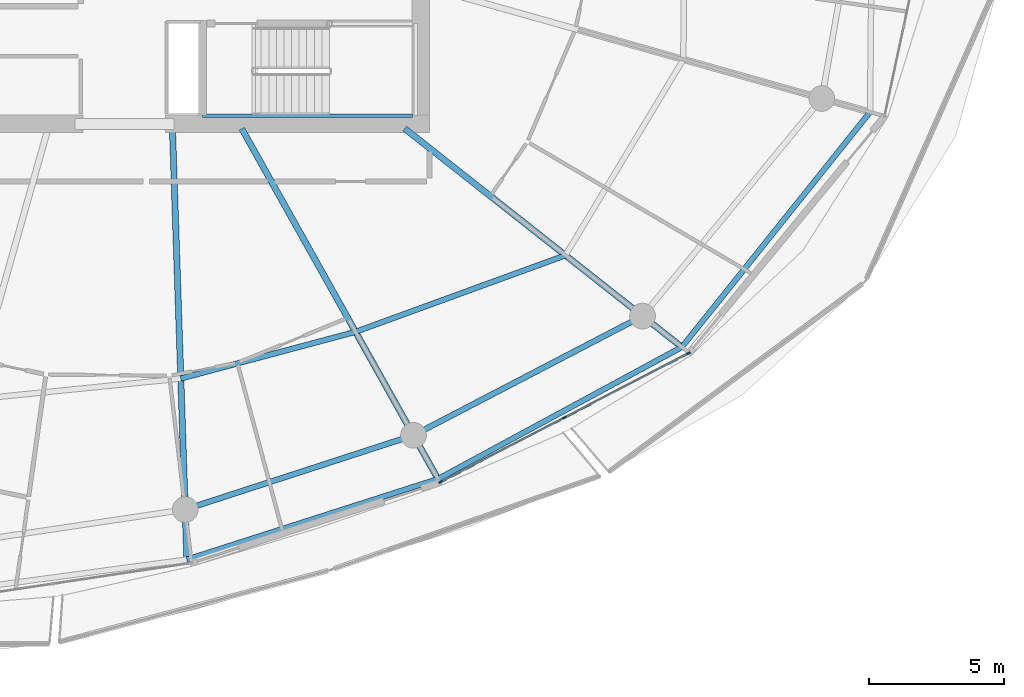
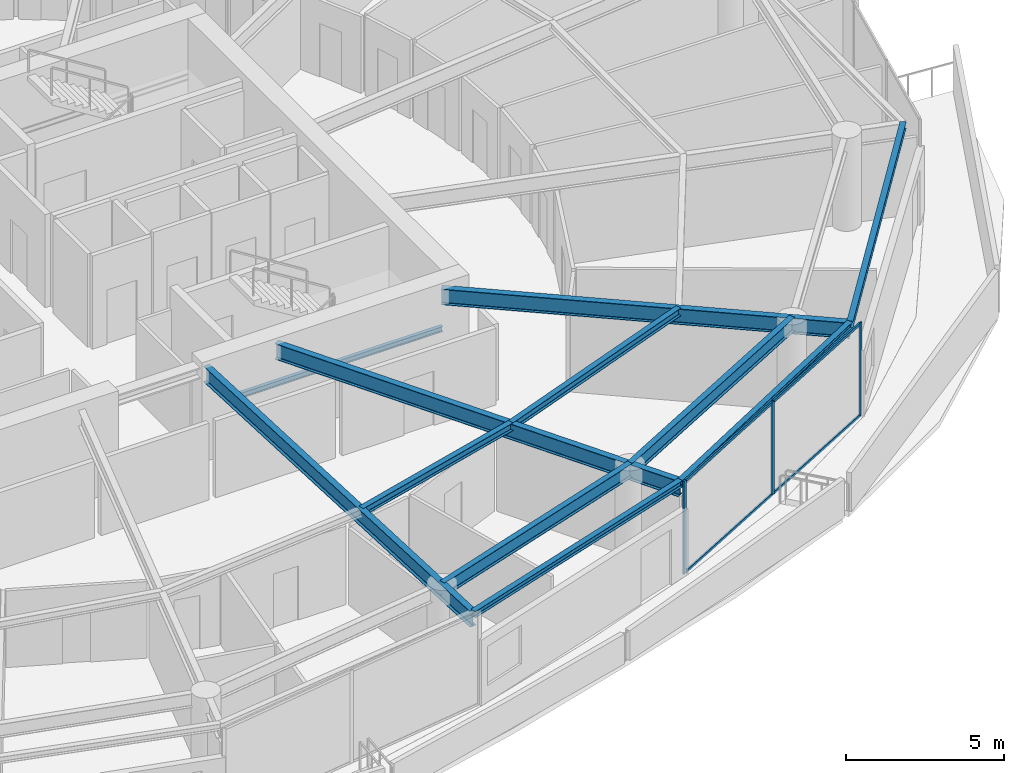
# One storey, part 10 of 31: 11 beams, 7 members, 1 element without a shape of its own.
"""IFC4 building model written with IfcOpenShell, lengths in metres."""

from ifc_helpers import new_model, si_unit, direction, frame, origin, origin_2d, place, context, subcontext, project, spatial, rectangle, i_section, extrude, material, layer, layer_set, material_profile, profile_set, type_object, element, aggregate, save


model = new_model("IFC4")

# Units and contexts
model_context = context("Model", 3, precision=1e-05, world=origin(), true_north=direction((0.0, 1.0)))
body_context = subcontext(model_context, "Body", "Model", "MODEL_VIEW")
ifc_project = project(units=[si_unit("LENGTHUNIT", "METRE"), si_unit("AREAUNIT", "SQUARE_METRE"), si_unit("VOLUMEUNIT", "CUBIC_METRE"), si_unit("PLANEANGLEUNIT", "RADIAN"), si_unit("MASSUNIT", "GRAM", prefix="KILO")], contexts=[model_context])

# Site, building, storey
site_placement = place(None, origin())
site = spatial("IfcSite", under=ifc_project, at=site_placement, CompositionType="ELEMENT")
building_placement = place(site_placement, origin())
building = spatial("IfcBuilding", under=site, at=building_placement, Name="Kazma Halo Residences", CompositionType="ELEMENT")
storey_placement = place(building_placement, frame((0.0, 0.0, 248.25)))
storey = spatial("IfcBuildingStorey", under=building, at=storey_placement, Name="L62", CompositionType="ELEMENT", Elevation=248.25)

# Beams
ifc_material_1 = material(Name="Steel S355", Category="steel")
ifc_material_profile_1 = material_profile(ifc_material_1, i_section(OverallWidth=0.201904296875, OverallDepth=0.2470703125, WebThickness=0.00732421875, FlangeThickness=0.010986328125, FilletRadius=0.011962890625, at=origin_2d()), Name="W250x49.1")
ifc_profile_set_1 = profile_set([ifc_material_profile_1], Name="Steel S355")
beam_type_1 = type_object("IfcBeamType", Name="BM-BAL-CANT", PredefinedType="BEAM", material=ifc_profile_set_1)
beam_1_placement = place(storey_placement, frame((50.7333984375, 17.580078125, 3.466552734375), z_axis=(0.952215866624, 0.305425839362, 0.0), x_axis=(-0.305425839362, 0.952215866624, 0.0)))
element("IfcBeam", 1, at=beam_1_placement, inside=storey, type_object=beam_type_1, Name="L62 wave-balcony tie beam 12", PredefinedType="BEAM", context=body_context, shape_type="SweptSolid", body=[
    extrude(i_section(OverallWidth=0.201904296875, OverallDepth=0.2470703125, WebThickness=0.00732421875, FlangeThickness=0.010986328125, FilletRadius=0.011962890625, at=origin_2d()), origin(), (0.0, 0.0, 1.0), 9.74169921875),
])
beam_2_placement = place(storey_placement, frame((60.009521484375, 20.555419921875, 3.466552734375), z_axis=(0.879517282036, 0.475866946321, 0.0), x_axis=(-0.475866946321, 0.879517282036, 0.0)))
element("IfcBeam", 2, at=beam_2_placement, inside=storey, type_object=beam_type_1, Name="L62 wave-balcony tie beam 13", PredefinedType="BEAM", context=body_context, shape_type="SweptSolid", body=[
    extrude(i_section(OverallWidth=0.201904296875, OverallDepth=0.2470703125, WebThickness=0.00732421875, FlangeThickness=0.010986328125, FilletRadius=0.011962890625, at=origin_2d()), origin(), (0.0, 0.0, 1.0), 10.243408203125),
])
beam_3_placement = place(storey_placement, frame((69.018798828125, 25.429931640625, 3.466552734375), z_axis=(0.625117912406, 0.780530329705, 0.0), x_axis=(-0.780530329705, 0.625117912406, 0.0)))
element("IfcBeam", 3, at=beam_3_placement, inside=storey, type_object=beam_type_1, Name="L62 wave-balcony tie beam 14", PredefinedType="BEAM", context=body_context, shape_type="SweptSolid", body=[
    extrude(i_section(OverallWidth=0.201904296875, OverallDepth=0.2470703125, WebThickness=0.00732421875, FlangeThickness=0.010986328125, FilletRadius=0.011962890625, at=origin_2d()), origin(), (0.0, 0.0, 1.0), 11.1220703125),
])
ifc_material_profile_2 = material_profile(ifc_material_1, i_section(OverallWidth=0.22802734375, OverallDepth=0.60791015625, WebThickness=0.01123046875, FlangeThickness=0.017333984375, FilletRadius=0.01806640625, at=origin_2d()), Name="W610x113")
ifc_profile_set_2 = profile_set([ifc_material_profile_2], Name="Steel S355")
beam_type_2 = type_object("IfcBeamType", Name="BM-RAD-W610", PredefinedType="BEAM", material=ifc_profile_set_2)
beam_4_placement = place(storey_placement, frame((50.199951171875, 33.5, 3.285888671875), z_axis=(0.03348936291, -0.999439073967, 0.0), x_axis=(0.999439073967, 0.03348936291, 0.0)))
element("IfcBeam", 4, at=beam_4_placement, inside=storey, type_object=beam_type_2, Name="L62 radial floor beam 12", PredefinedType="BEAM", context=body_context, shape_type="SweptSolid", body=[
    extrude(i_section(OverallWidth=0.22802734375, OverallDepth=0.60791015625, WebThickness=0.01123046875, FlangeThickness=0.017333984375, FilletRadius=0.01806640625, at=origin_2d()), origin(), (0.0, 0.0, 1.0), 15.928955078125),
])
beam_5_placement = place(storey_placement, frame((52.76025390625, 33.5, 3.285888671875), z_axis=(0.488618902548, -0.872497316943, 0.0), x_axis=(0.872497316943, 0.488618902548, 0.0)))
element("IfcBeam", 5, at=beam_5_placement, inside=storey, type_object=beam_type_2, Name="L62 radial floor beam 13", PredefinedType="BEAM", context=body_context, shape_type="SweptSolid", body=[
    extrude(i_section(OverallWidth=0.22802734375, OverallDepth=0.60791015625, WebThickness=0.01123046875, FlangeThickness=0.017333984375, FilletRadius=0.01806640625, at=origin_2d()), origin(), (0.0, 0.0, 1.0), 14.836181640625),
])
beam_6_placement = place(storey_placement, frame((58.7822265625, 33.5, 3.285888671875), z_axis=(0.785309266897, -0.619103670903, 0.0), x_axis=(0.619103670903, 0.785309266897, 0.0)))
element("IfcBeam", 6, at=beam_6_placement, inside=storey, type_object=beam_type_2, Name="L62 radial floor beam 14", PredefinedType="BEAM", context=body_context, shape_type="SweptSolid", body=[
    extrude(i_section(OverallWidth=0.22802734375, OverallDepth=0.60791015625, WebThickness=0.01123046875, FlangeThickness=0.017333984375, FilletRadius=0.01806640625, at=origin_2d()), origin(), (0.0, 0.0, 1.0), 13.03515625),
])
ifc_material_profile_3 = material_profile(ifc_material_1, i_section(OverallWidth=0.202880859375, OverallDepth=0.302978515625, WebThickness=0.007568359375, FlangeThickness=0.01318359375, FilletRadius=0.013916015625, at=origin_2d()), Name="W310x60")
ifc_profile_set_3 = profile_set([ifc_material_profile_3], Name="Steel S355")
beam_type_3 = type_object("IfcBeamType", Name="BM-SEC-W310A", PredefinedType="JOIST", material=ifc_profile_set_3)
beam_7_placement = place(storey_placement, frame((50.50927734375, 24.2666015625, 3.4384765625), z_axis=(0.966079519115, 0.258244772932, 0.0), x_axis=(-0.258244772932, 0.966079519115, 0.0)))
element("IfcBeam", 7, at=beam_7_placement, inside=storey, type_object=beam_type_3, Name="L62 circumferential floor joist 12", PredefinedType="JOIST", context=body_context, shape_type="SweptSolid", body=[
    extrude(i_section(OverallWidth=0.202880859375, OverallDepth=0.302978515625, WebThickness=0.007568359375, FlangeThickness=0.01318359375, FilletRadius=0.013916015625, at=origin_2d()), origin(), (0.0, 0.0, 1.0), 6.681884765625),
])
beam_8_placement = place(storey_placement, frame((56.964599609375, 25.9921875, 3.4384765625), z_axis=(0.93951330561, 0.342512406465, 0.0), x_axis=(-0.342512406465, 0.93951330561, 0.0)))
element("IfcBeam", 8, at=beam_8_placement, inside=storey, type_object=beam_type_3, Name="L62 circumferential floor joist 13", PredefinedType="JOIST", context=body_context, shape_type="SweptSolid", body=[
    extrude(i_section(OverallWidth=0.202880859375, OverallDepth=0.302978515625, WebThickness=0.007568359375, FlangeThickness=0.01318359375, FilletRadius=0.013916015625, at=origin_2d()), origin(), (0.0, 0.0, 1.0), 8.254150390625),
])
ifc_material_profile_4 = material_profile(ifc_material_1, i_section(OverallWidth=0.208984375, OverallDepth=0.532958984375, WebThickness=0.01025390625, FlangeThickness=0.015625, FilletRadius=0.01611328125, at=origin_2d()), Name="W530x92")
ifc_profile_set_4 = profile_set([ifc_material_profile_4], Name="Steel S355")
beam_type_4 = type_object("IfcBeamType", Name="BM-SPN-W530", PredefinedType="BEAM", material=ifc_profile_set_4)
beam_9_placement = place(storey_placement, frame((50.67138671875, 19.42919921875, 3.323486328125), z_axis=(0.951053893407, 0.309025066679, 0.0), x_axis=(-0.309025066679, 0.951053893407, 0.0)))
element("IfcBeam", 9, at=beam_9_placement, inside=storey, type_object=beam_type_4, Name="L62 perimeter ring beam 12", PredefinedType="BEAM", context=body_context, shape_type="SweptSolid", body=[
    extrude(i_section(OverallWidth=0.208984375, OverallDepth=0.532958984375, WebThickness=0.01025390625, FlangeThickness=0.015625, FilletRadius=0.01611328125, at=origin_2d()), origin(), (0.0, 0.0, 1.0), 8.8681640625),
])
beam_10_placement = place(storey_placement, frame((59.10546875, 22.169677734375, 3.323486328125), z_axis=(0.886961047115, 0.461844238788, 0.0), x_axis=(-0.461844238788, 0.886961047115, 0.0)))
element("IfcBeam", 10, at=beam_10_placement, inside=storey, type_object=beam_type_4, Name="L62 perimeter ring beam 13", PredefinedType="BEAM", context=body_context, shape_type="SweptSolid", body=[
    extrude(i_section(OverallWidth=0.208984375, OverallDepth=0.532958984375, WebThickness=0.01025390625, FlangeThickness=0.015625, FilletRadius=0.01611328125, at=origin_2d()), origin(), (0.0, 0.0, 1.0), 9.5390625),
])
ifc_material_profile_5 = material_profile(ifc_material_1, i_section(OverallWidth=0.133056640625, OverallDepth=0.20703125, WebThickness=0.005859375, FlangeThickness=0.00830078125, FilletRadius=0.010009765625, at=origin_2d()), Name="W200x26.6")
ifc_profile_set_5 = profile_set([ifc_material_profile_5], Name="Steel S355")
beam_type_5 = type_object("IfcBeamType", Name="BM-TRIM-W200", PredefinedType="BEAM", material=ifc_profile_set_5)
beam_11_placement = place(storey_placement, frame((51.31005859375, 33.97998046875, 1.6201171875), z_axis=(1.0, 0.0, 0.0), x_axis=(0.0, 1.0, 0.0)))
element("IfcBeam", 11, at=beam_11_placement, inside=storey, type_object=beam_type_5, Name="L62 ST-03 landing south wall ledger", PredefinedType="BEAM", context=body_context, shape_type="SweptSolid", body=[
    extrude(i_section(OverallWidth=0.133056640625, OverallDepth=0.20703125, WebThickness=0.005859375, FlangeThickness=0.00830078125, FilletRadius=0.010009765625, at=origin_2d()), origin(), (0.0, 0.0, 1.0), 7.760009765625),
])

# Curtain wall, members
ifc_material_2 = material(Name="Aluminium AW-6063 T6 and Triple-Silver Low-E Glass", Category="aluminium")
ifc_layer = layer(ifc_material_2, 0.139892578125)
ifc_layer_set = layer_set([ifc_layer], Name="Aluminium AW-6063 T6 and Triple-Silver Low-E Glass")
curtain_wall_type = type_object("IfcCurtainWallType", Name="CW-SYS-5", PredefinedType="NOTDEFINED", material=ifc_layer_set)
curtain_wall_placement = place(storey_placement, origin())
curtain_wall = element("IfcCurtainWall", 12, at=curtain_wall_placement, inside=storey, type_object=curtain_wall_type, Name="L62 unitised curtain wall B13", PredefinedType="NOTDEFINED")
ifc_material_3 = material(Name="Aluminium AW-6063 T6", Category="aluminium")
ifc_material_profile_6 = material_profile(ifc_material_3, rectangle(XDim=0.06005859375, YDim=0.139892578125, at=origin_2d()), Name="CWM-60x140")
ifc_profile_set_6 = profile_set([ifc_material_profile_6], Name="Aluminium AW-6063 T6")
member_type_1 = type_object("IfcMemberType", Name="CW-SYS-5-MUL", PredefinedType="MULLION", material=ifc_profile_set_6)
member_1_placement = place(storey_placement, frame((60.105224609375, 20.446044921875, 0.0), z_axis=(0.0, 0.0, 1.0), x_axis=(-0.460960760804, 0.887420518694, 0.0)))
member_1 = element("IfcMember", 13, at=member_1_placement, type_object=member_type_1, Name="CWS-5 mullion 1", PredefinedType="MULLION", context=body_context, shape_type="SweptSolid", body=[
    extrude(rectangle(XDim=0.06005859375, YDim=0.139892578125, at=origin_2d()), origin(), (0.0, 0.0, 1.0), 3.590087890625),
])
member_2_placement = place(storey_placement, frame((64.68408203125, 22.824462890625, 0.0), z_axis=(0.0, 0.0, 1.0), x_axis=(-0.460960760804, 0.887420518694, 0.0)))
member_2 = element("IfcMember", 14, at=member_2_placement, type_object=member_type_1, Name="CWS-5 mullion 2", PredefinedType="MULLION", context=body_context, shape_type="SweptSolid", body=[
    extrude(rectangle(XDim=0.06005859375, YDim=0.139892578125, at=origin_2d()), origin(), (0.0, 0.0, 1.0), 3.590087890625),
])
member_3_placement = place(storey_placement, frame((69.262939453125, 25.202880859375, 0.0), z_axis=(0.0, 0.0, 1.0), x_axis=(-0.460960760804, 0.887420518694, 0.0)))
member_3 = element("IfcMember", 15, at=member_3_placement, type_object=member_type_1, Name="CWS-5 mullion 3", PredefinedType="MULLION", context=body_context, shape_type="SweptSolid", body=[
    extrude(rectangle(XDim=0.06005859375, YDim=0.139892578125, at=origin_2d()), origin(), (0.0, 0.0, 1.0), 3.590087890625),
])
ifc_material_profile_7 = material_profile(ifc_material_3, rectangle(XDim=0.06005859375, YDim=0.10498046875, at=origin_2d()), Name="CWT-60x105")
ifc_profile_set_7 = profile_set([ifc_material_profile_7], Name="Aluminium AW-6063 T6")
member_type_2 = type_object("IfcMemberType", Name="CW-SYS-5-TRN", PredefinedType="USERDEFINED", material=ifc_profile_set_7)
member_4_placement = place(storey_placement, frame((60.1318359375, 20.4599609375, 0.030029296875), z_axis=(0.887436955863, 0.46092911534, 0.0), x_axis=(-0.46092911534, 0.887436955863, 0.0)))
member_4 = element("IfcMember", 16, at=member_4_placement, type_object=member_type_2, Name="CWS-5 transom 1.1", ObjectType="TRANSOM", PredefinedType="USERDEFINED", context=body_context, shape_type="SweptSolid", body=[
    extrude(rectangle(XDim=0.06005859375, YDim=0.10498046875, at=origin_2d()), origin(), (0.0, 0.0, 1.0), 5.099609375),
])
member_5_placement = place(storey_placement, frame((60.1318359375, 20.4599609375, 3.56005859375), z_axis=(0.887436955863, 0.46092911534, 0.0), x_axis=(-0.46092911534, 0.887436955863, 0.0)))
member_5 = element("IfcMember", 17, at=member_5_placement, type_object=member_type_2, Name="CWS-5 transom 1.2", ObjectType="TRANSOM", PredefinedType="USERDEFINED", context=body_context, shape_type="SweptSolid", body=[
    extrude(rectangle(XDim=0.06005859375, YDim=0.10498046875, at=origin_2d()), origin(), (0.0, 0.0, 1.0), 5.099609375),
])
member_6_placement = place(storey_placement, frame((64.710693359375, 22.83837890625, 0.030029296875), z_axis=(0.887436955863, 0.46092911534, 0.0), x_axis=(-0.46092911534, 0.887436955863, 0.0)))
member_6 = element("IfcMember", 18, at=member_6_placement, type_object=member_type_2, Name="CWS-5 transom 2.1", ObjectType="TRANSOM", PredefinedType="USERDEFINED", context=body_context, shape_type="SweptSolid", body=[
    extrude(rectangle(XDim=0.06005859375, YDim=0.10498046875, at=origin_2d()), origin(), (0.0, 0.0, 1.0), 5.099609375),
])
member_7_placement = place(storey_placement, frame((64.710693359375, 22.83837890625, 3.56005859375), z_axis=(0.887436955863, 0.46092911534, 0.0), x_axis=(-0.46092911534, 0.887436955863, 0.0)))
member_7 = element("IfcMember", 19, at=member_7_placement, type_object=member_type_2, Name="CWS-5 transom 2.2", ObjectType="TRANSOM", PredefinedType="USERDEFINED", context=body_context, shape_type="SweptSolid", body=[
    extrude(rectangle(XDim=0.06005859375, YDim=0.10498046875, at=origin_2d()), origin(), (0.0, 0.0, 1.0), 5.099609375),
])
aggregate(curtain_wall, [member_1, member_2, member_3, member_4, member_5, member_6, member_7])

save(model, "model.ifc")
